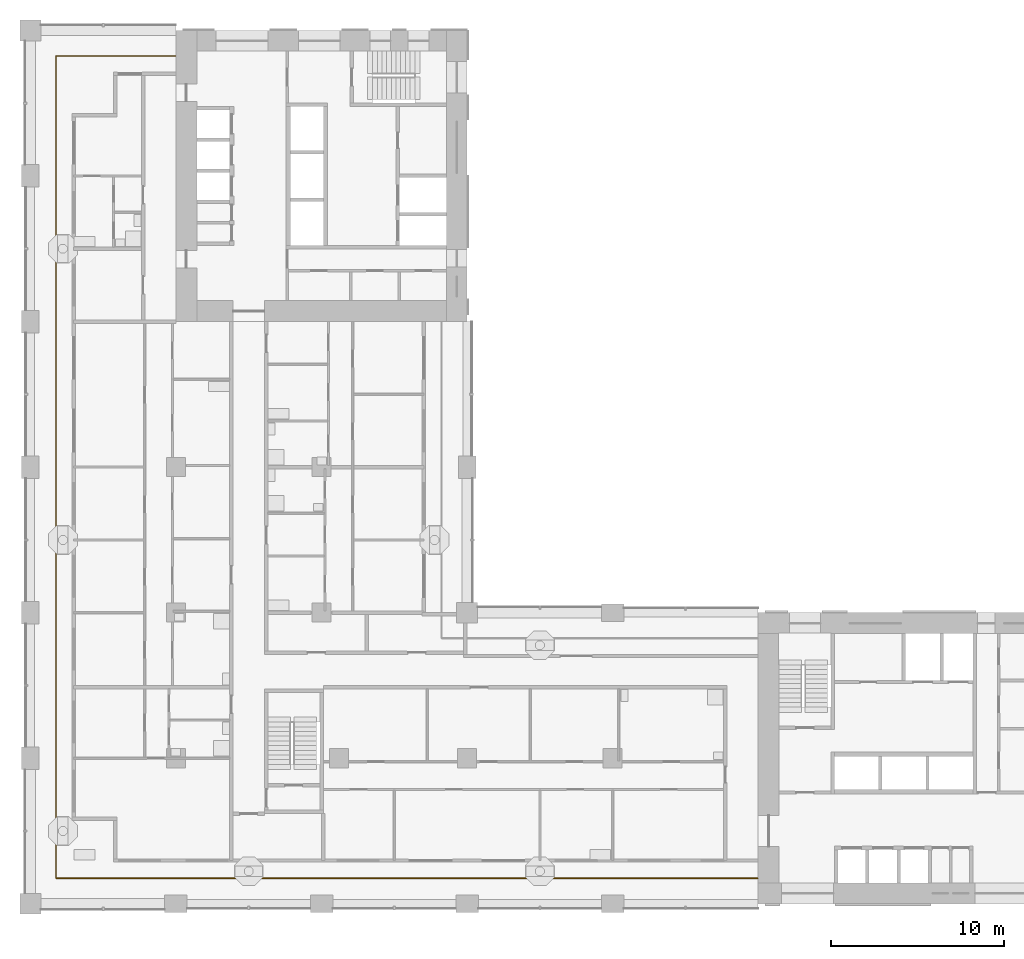
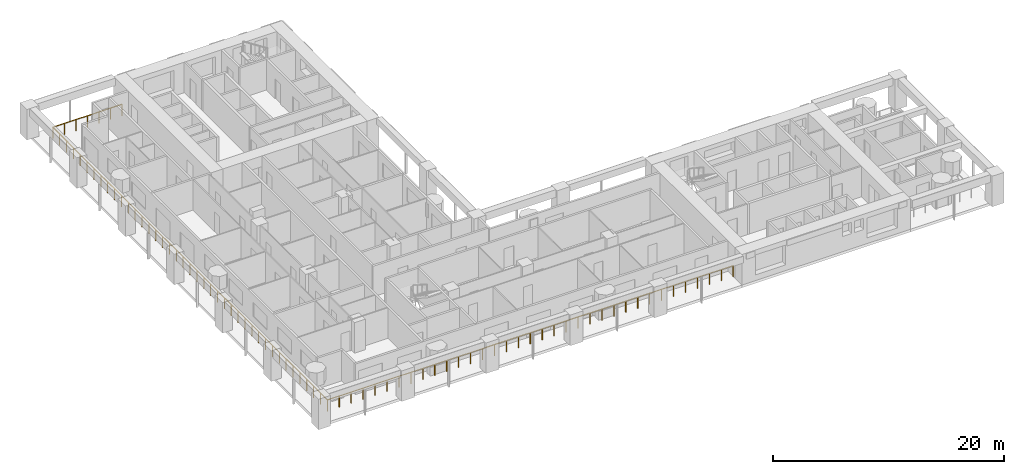
# One storey, part 10 of 18: 1 railing.
"""IFC4 building model written with IfcOpenShell, lengths in metres."""

from ifc_helpers import new_model, si_unit, direction, frame, origin, origin_2d, place, context, subcontext, project, spatial, circle, extrude, material, type_object, element, save


model = new_model("IFC4")

# Units and contexts
model_context = context("Model", 3, precision=1e-05, world=origin(), true_north=direction((0.0, 1.0)))
body_context = subcontext(model_context, "Body", "Model", "MODEL_VIEW")
ifc_project = project(units=[si_unit("LENGTHUNIT", "METRE"), si_unit("AREAUNIT", "SQUARE_METRE"), si_unit("VOLUMEUNIT", "CUBIC_METRE"), si_unit("PLANEANGLEUNIT", "RADIAN"), si_unit("MASSUNIT", "GRAM", prefix="KILO")], contexts=[model_context])

# Site, building, storey
site_placement = place(None, origin())
site = spatial("IfcSite", under=ifc_project, at=site_placement, CompositionType="ELEMENT")
building_placement = place(site_placement, origin())
building = spatial("IfcBuilding", under=site, at=building_placement, Name="Vermilion Gate Residences", CompositionType="ELEMENT")
storey_placement = place(building_placement, frame((0.0, 0.0, 84.699951171875)))
storey = spatial("IfcBuildingStorey", under=building, at=storey_placement, Name="L20", CompositionType="ELEMENT", Elevation=84.699951171875)

# Railing
ifc_material = material(Name="Stainless steel and toughened glass", Category="steel")
railing_type = type_object("IfcRailingType", Name="LOGGIA GUARD STEEL AND GLASS 1200", PredefinedType="GUARDRAIL", material=ifc_material)
railing_placement = place(storey_placement, frame((8.3779296875, 57.324951171875, 0.0)))
element("IfcRailing", 1, at=railing_placement, inside=storey, type_object=railing_type, Name="Loggia guard", PredefinedType="GUARDRAIL", context=body_context, shape_type="SweptSolid", body=[
    extrude(circle(Radius=0.030029296875, at=origin_2d()), frame((0.0, 0.0, 1.169921875), z_axis=(-1.0, 0.0, 0.0), x_axis=(0.0, -1.0, 0.0)), (0.0, 0.0, 1.0), 6.90283203125),
    extrude(circle(Radius=0.030029296875, at=origin_2d()), frame((-6.90283203125, 0.0, 1.169921875), z_axis=(0.0, -1.0, 0.0), x_axis=(1.0, 0.0, 0.0)), (0.0, 0.0, 1.0), 47.449951171875),
    extrude(circle(Radius=0.030029296875, at=origin_2d()), frame((-6.90283203125, -47.449951171875, 1.169921875), z_axis=(1.0, 0.0, 0.0), x_axis=(0.0, 1.0, 0.0)), (0.0, 0.0, 1.0), 40.5029296875),
    extrude(circle(Radius=0.02490234375, at=origin_2d()), origin(), (0.0, 0.0, 1.0), 1.139892578125),
    extrude(circle(Radius=0.02490234375, at=origin_2d()), frame((-1.150390625, 0.0, 0.0)), (0.0, 0.0, 1.0), 1.139892578125),
    extrude(circle(Radius=0.02490234375, at=origin_2d()), frame((-2.301025390625, 0.0, 0.0)), (0.0, 0.0, 1.0), 1.139892578125),
    extrude(circle(Radius=0.02490234375, at=origin_2d()), frame((-3.451416015625, 0.0, 0.0)), (0.0, 0.0, 1.0), 1.139892578125),
    extrude(circle(Radius=0.02490234375, at=origin_2d()), frame((-4.601806640625, 0.0, 0.0)), (0.0, 0.0, 1.0), 1.139892578125),
    extrude(circle(Radius=0.02490234375, at=origin_2d()), frame((-5.75244140625, 0.0, 0.0)), (0.0, 0.0, 1.0), 1.139892578125),
    extrude(circle(Radius=0.02490234375, at=origin_2d()), frame((-6.90283203125, 0.0, 0.0)), (0.0, 0.0, 1.0), 1.139892578125),
    extrude(circle(Radius=0.02490234375, at=origin_2d()), frame((-6.90283203125, -1.186279296875, 0.0)), (0.0, 0.0, 1.0), 1.139892578125),
    extrude(circle(Radius=0.02490234375, at=origin_2d()), frame((-6.90283203125, -2.37255859375, 0.0)), (0.0, 0.0, 1.0), 1.139892578125),
    extrude(circle(Radius=0.02490234375, at=origin_2d()), frame((-6.90283203125, -3.558837890625, 0.0)), (0.0, 0.0, 1.0), 1.139892578125),
    extrude(circle(Radius=0.02490234375, at=origin_2d()), frame((-6.90283203125, -4.7451171875, 0.0)), (0.0, 0.0, 1.0), 1.139892578125),
    extrude(circle(Radius=0.02490234375, at=origin_2d()), frame((-6.90283203125, -5.93115234375, 0.0)), (0.0, 0.0, 1.0), 1.139892578125),
    extrude(circle(Radius=0.02490234375, at=origin_2d()), frame((-6.90283203125, -7.117431640625, 0.0)), (0.0, 0.0, 1.0), 1.139892578125),
    extrude(circle(Radius=0.02490234375, at=origin_2d()), frame((-6.90283203125, -8.3037109375, 0.0)), (0.0, 0.0, 1.0), 1.139892578125),
    extrude(circle(Radius=0.02490234375, at=origin_2d()), frame((-6.90283203125, -9.489990234375, 0.0)), (0.0, 0.0, 1.0), 1.139892578125),
    extrude(circle(Radius=0.02490234375, at=origin_2d()), frame((-6.90283203125, -10.67626953125, 0.0)), (0.0, 0.0, 1.0), 1.139892578125),
    extrude(circle(Radius=0.02490234375, at=origin_2d()), frame((-6.90283203125, -11.862548828125, 0.0)), (0.0, 0.0, 1.0), 1.139892578125),
    extrude(circle(Radius=0.02490234375, at=origin_2d()), frame((-6.90283203125, -13.048828125, 0.0)), (0.0, 0.0, 1.0), 1.139892578125),
    extrude(circle(Radius=0.02490234375, at=origin_2d()), frame((-6.90283203125, -14.23486328125, 0.0)), (0.0, 0.0, 1.0), 1.139892578125),
    extrude(circle(Radius=0.02490234375, at=origin_2d()), frame((-6.90283203125, -15.421142578125, 0.0)), (0.0, 0.0, 1.0), 1.139892578125),
    extrude(circle(Radius=0.02490234375, at=origin_2d()), frame((-6.90283203125, -16.607421875, 0.0)), (0.0, 0.0, 1.0), 1.139892578125),
    extrude(circle(Radius=0.02490234375, at=origin_2d()), frame((-6.90283203125, -17.793701171875, 0.0)), (0.0, 0.0, 1.0), 1.139892578125),
    extrude(circle(Radius=0.02490234375, at=origin_2d()), frame((-6.90283203125, -18.97998046875, 0.0)), (0.0, 0.0, 1.0), 1.139892578125),
    extrude(circle(Radius=0.02490234375, at=origin_2d()), frame((-6.90283203125, -20.166259765625, 0.0)), (0.0, 0.0, 1.0), 1.139892578125),
    extrude(circle(Radius=0.02490234375, at=origin_2d()), frame((-6.90283203125, -21.3525390625, 0.0)), (0.0, 0.0, 1.0), 1.139892578125),
    extrude(circle(Radius=0.02490234375, at=origin_2d()), frame((-6.90283203125, -22.538818359375, 0.0)), (0.0, 0.0, 1.0), 1.139892578125),
    extrude(circle(Radius=0.02490234375, at=origin_2d()), frame((-6.90283203125, -23.72509765625, 0.0)), (0.0, 0.0, 1.0), 1.139892578125),
    extrude(circle(Radius=0.02490234375, at=origin_2d()), frame((-6.90283203125, -24.9111328125, 0.0)), (0.0, 0.0, 1.0), 1.139892578125),
    extrude(circle(Radius=0.02490234375, at=origin_2d()), frame((-6.90283203125, -26.097412109375, 0.0)), (0.0, 0.0, 1.0), 1.139892578125),
    extrude(circle(Radius=0.02490234375, at=origin_2d()), frame((-6.90283203125, -27.28369140625, 0.0)), (0.0, 0.0, 1.0), 1.139892578125),
    extrude(circle(Radius=0.02490234375, at=origin_2d()), frame((-6.90283203125, -28.469970703125, 0.0)), (0.0, 0.0, 1.0), 1.139892578125),
    extrude(circle(Radius=0.02490234375, at=origin_2d()), frame((-6.90283203125, -29.65625, 0.0)), (0.0, 0.0, 1.0), 1.139892578125),
    extrude(circle(Radius=0.02490234375, at=origin_2d()), frame((-6.90283203125, -30.842529296875, 0.0)), (0.0, 0.0, 1.0), 1.139892578125),
    extrude(circle(Radius=0.02490234375, at=origin_2d()), frame((-6.90283203125, -32.02880859375, 0.0)), (0.0, 0.0, 1.0), 1.139892578125),
    extrude(circle(Radius=0.02490234375, at=origin_2d()), frame((-6.90283203125, -33.21484375, 0.0)), (0.0, 0.0, 1.0), 1.139892578125),
    extrude(circle(Radius=0.02490234375, at=origin_2d()), frame((-6.90283203125, -34.401123046875, 0.0)), (0.0, 0.0, 1.0), 1.139892578125),
    extrude(circle(Radius=0.02490234375, at=origin_2d()), frame((-6.90283203125, -35.58740234375, 0.0)), (0.0, 0.0, 1.0), 1.139892578125),
    extrude(circle(Radius=0.02490234375, at=origin_2d()), frame((-6.90283203125, -36.773681640625, 0.0)), (0.0, 0.0, 1.0), 1.139892578125),
    extrude(circle(Radius=0.02490234375, at=origin_2d()), frame((-6.90283203125, -37.9599609375, 0.0)), (0.0, 0.0, 1.0), 1.139892578125),
    extrude(circle(Radius=0.02490234375, at=origin_2d()), frame((-6.90283203125, -39.146240234375, 0.0)), (0.0, 0.0, 1.0), 1.139892578125),
    extrude(circle(Radius=0.02490234375, at=origin_2d()), frame((-6.90283203125, -40.33251953125, 0.0)), (0.0, 0.0, 1.0), 1.139892578125),
    extrude(circle(Radius=0.02490234375, at=origin_2d()), frame((-6.90283203125, -41.518798828125, 0.0)), (0.0, 0.0, 1.0), 1.139892578125),
    extrude(circle(Radius=0.02490234375, at=origin_2d()), frame((-6.90283203125, -42.705078125, 0.0)), (0.0, 0.0, 1.0), 1.139892578125),
    extrude(circle(Radius=0.02490234375, at=origin_2d()), frame((-6.90283203125, -43.89111328125, 0.0)), (0.0, 0.0, 1.0), 1.139892578125),
    extrude(circle(Radius=0.02490234375, at=origin_2d()), frame((-6.90283203125, -45.077392578125, 0.0)), (0.0, 0.0, 1.0), 1.139892578125),
    extrude(circle(Radius=0.02490234375, at=origin_2d()), frame((-6.90283203125, -46.263671875, 0.0)), (0.0, 0.0, 1.0), 1.139892578125),
    extrude(circle(Radius=0.02490234375, at=origin_2d()), frame((-6.90283203125, -47.449951171875, 0.0)), (0.0, 0.0, 1.0), 1.139892578125),
    extrude(circle(Radius=0.02490234375, at=origin_2d()), frame((-5.711669921875, -47.449951171875, 0.0)), (0.0, 0.0, 1.0), 1.139892578125),
    extrude(circle(Radius=0.02490234375, at=origin_2d()), frame((-4.520263671875, -47.449951171875, 0.0)), (0.0, 0.0, 1.0), 1.139892578125),
    extrude(circle(Radius=0.02490234375, at=origin_2d()), frame((-3.3291015625, -47.449951171875, 0.0)), (0.0, 0.0, 1.0), 1.139892578125),
    extrude(circle(Radius=0.02490234375, at=origin_2d()), frame((-2.1376953125, -47.449951171875, 0.0)), (0.0, 0.0, 1.0), 1.139892578125),
    extrude(circle(Radius=0.02490234375, at=origin_2d()), frame((-0.946533203125, -47.449951171875, 0.0)), (0.0, 0.0, 1.0), 1.139892578125),
    extrude(circle(Radius=0.02490234375, at=origin_2d()), frame((0.24462890625, -47.449951171875, 0.0)), (0.0, 0.0, 1.0), 1.139892578125),
    extrude(circle(Radius=0.02490234375, at=origin_2d()), frame((1.43603515625, -47.449951171875, 0.0)), (0.0, 0.0, 1.0), 1.139892578125),
    extrude(circle(Radius=0.02490234375, at=origin_2d()), frame((2.627197265625, -47.449951171875, 0.0)), (0.0, 0.0, 1.0), 1.139892578125),
    extrude(circle(Radius=0.02490234375, at=origin_2d()), frame((3.818603515625, -47.449951171875, 0.0)), (0.0, 0.0, 1.0), 1.139892578125),
    extrude(circle(Radius=0.02490234375, at=origin_2d()), frame((5.009765625, -47.449951171875, 0.0)), (0.0, 0.0, 1.0), 1.139892578125),
    extrude(circle(Radius=0.02490234375, at=origin_2d()), frame((6.201171875, -47.449951171875, 0.0)), (0.0, 0.0, 1.0), 1.139892578125),
    extrude(circle(Radius=0.02490234375, at=origin_2d()), frame((7.392333984375, -47.449951171875, 0.0)), (0.0, 0.0, 1.0), 1.139892578125),
    extrude(circle(Radius=0.02490234375, at=origin_2d()), frame((8.58349609375, -47.449951171875, 0.0)), (0.0, 0.0, 1.0), 1.139892578125),
    extrude(circle(Radius=0.02490234375, at=origin_2d()), frame((9.77490234375, -47.449951171875, 0.0)), (0.0, 0.0, 1.0), 1.139892578125),
    extrude(circle(Radius=0.02490234375, at=origin_2d()), frame((10.966064453125, -47.449951171875, 0.0)), (0.0, 0.0, 1.0), 1.139892578125),
    extrude(circle(Radius=0.02490234375, at=origin_2d()), frame((12.157470703125, -47.449951171875, 0.0)), (0.0, 0.0, 1.0), 1.139892578125),
    extrude(circle(Radius=0.02490234375, at=origin_2d()), frame((13.3486328125, -47.449951171875, 0.0)), (0.0, 0.0, 1.0), 1.139892578125),
    extrude(circle(Radius=0.02490234375, at=origin_2d()), frame((14.539794921875, -47.449951171875, 0.0)), (0.0, 0.0, 1.0), 1.139892578125),
    extrude(circle(Radius=0.02490234375, at=origin_2d()), frame((15.731201171875, -47.449951171875, 0.0)), (0.0, 0.0, 1.0), 1.139892578125),
    extrude(circle(Radius=0.02490234375, at=origin_2d()), frame((16.92236328125, -47.449951171875, 0.0)), (0.0, 0.0, 1.0), 1.139892578125),
    extrude(circle(Radius=0.02490234375, at=origin_2d()), frame((18.11376953125, -47.449951171875, 0.0)), (0.0, 0.0, 1.0), 1.139892578125),
    extrude(circle(Radius=0.02490234375, at=origin_2d()), frame((19.304931640625, -47.449951171875, 0.0)), (0.0, 0.0, 1.0), 1.139892578125),
    extrude(circle(Radius=0.02490234375, at=origin_2d()), frame((20.49609375, -47.449951171875, 0.0)), (0.0, 0.0, 1.0), 1.139892578125),
    extrude(circle(Radius=0.02490234375, at=origin_2d()), frame((21.6875, -47.449951171875, 0.0)), (0.0, 0.0, 1.0), 1.139892578125),
    extrude(circle(Radius=0.02490234375, at=origin_2d()), frame((22.878662109375, -47.449951171875, 0.0)), (0.0, 0.0, 1.0), 1.139892578125),
    extrude(circle(Radius=0.02490234375, at=origin_2d()), frame((24.070068359375, -47.449951171875, 0.0)), (0.0, 0.0, 1.0), 1.139892578125),
    extrude(circle(Radius=0.02490234375, at=origin_2d()), frame((25.26123046875, -47.449951171875, 0.0)), (0.0, 0.0, 1.0), 1.139892578125),
    extrude(circle(Radius=0.02490234375, at=origin_2d()), frame((26.45263671875, -47.449951171875, 0.0)), (0.0, 0.0, 1.0), 1.139892578125),
    extrude(circle(Radius=0.02490234375, at=origin_2d()), frame((27.643798828125, -47.449951171875, 0.0)), (0.0, 0.0, 1.0), 1.139892578125),
    extrude(circle(Radius=0.02490234375, at=origin_2d()), frame((28.8349609375, -47.449951171875, 0.0)), (0.0, 0.0, 1.0), 1.139892578125),
    extrude(circle(Radius=0.02490234375, at=origin_2d()), frame((30.0263671875, -47.449951171875, 0.0)), (0.0, 0.0, 1.0), 1.139892578125),
    extrude(circle(Radius=0.02490234375, at=origin_2d()), frame((31.217529296875, -47.449951171875, 0.0)), (0.0, 0.0, 1.0), 1.139892578125),
    extrude(circle(Radius=0.02490234375, at=origin_2d()), frame((32.408935546875, -47.449951171875, 0.0)), (0.0, 0.0, 1.0), 1.139892578125),
    extrude(circle(Radius=0.02490234375, at=origin_2d()), frame((33.60009765625, -47.449951171875, 0.0)), (0.0, 0.0, 1.0), 1.139892578125),
])

save(model, "model.ifc")
